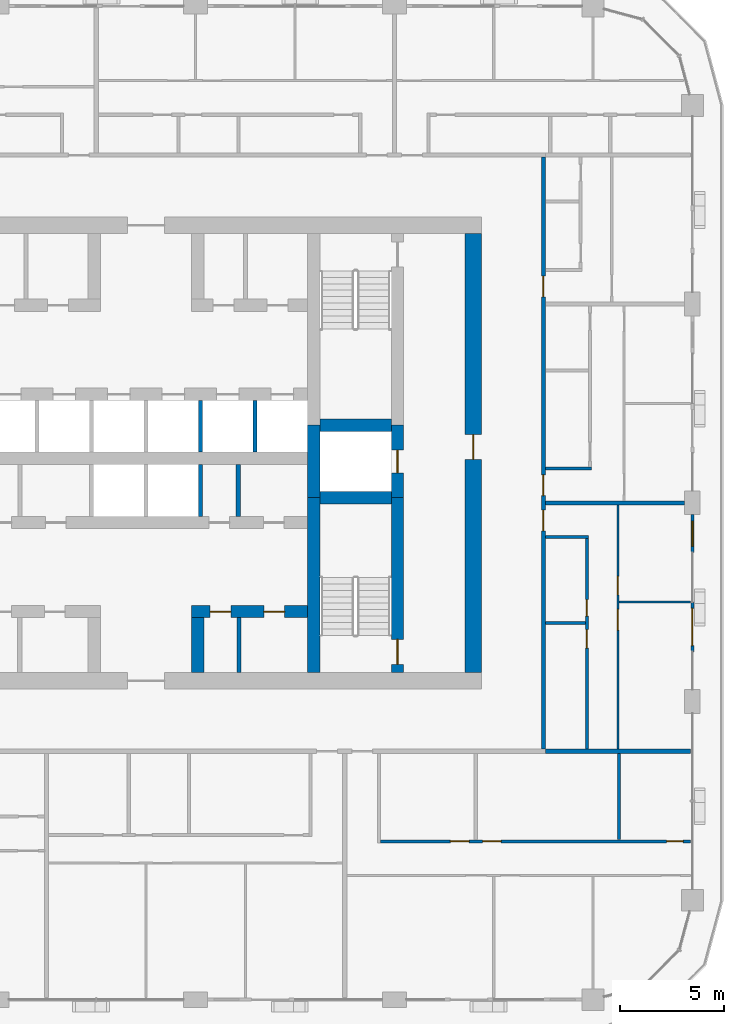
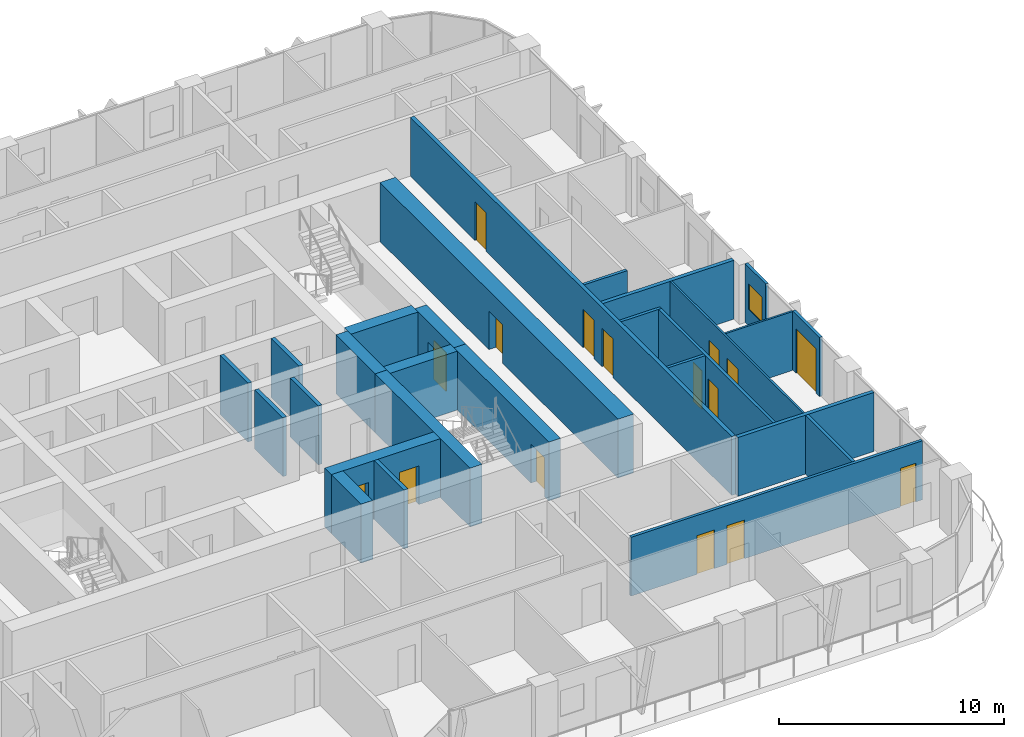
# One storey, part 12 of 22: 27 walls, 16 doors, 1 window, 17 openings.
"""IFC4 building model written with IfcOpenShell, lengths in metres."""

import ifcopenshell
import ifcopenshell.guid

model = None  # the IFC model being written
_history = None  # IfcOwnerHistory: only IFC2X3 demands one
_inside = {}  # id of a spatial element -> (the spatial element, [elements in it])
_under = {}  # id of a project, library or spatial element -> (it, [spatial elements below it])
_declared = {}  # id of a project -> (the project, [libraries it declares])
_typed = {}  # id of a type object -> (the type object, [elements of that type])
_made_of = {}  # id of a material, layer set ... -> (it, [elements and type objects made of it])


def new_model(schema):
    """Start an empty IFC model of exactly this schema.

    Asked for "IFC4X3", IfcOpenShell would pick the latest addendum, in which some entities
    have other attributes; the version numbers below select the first issue.
    IFC2X3 requires an IfcOwnerHistory on every rooted entity: one is made here for all.
    """
    global model, _history
    if schema == "IFC4X3":
        model = ifcopenshell.file(schema_version=(4, 3, 0, 0))
    else:
        model = ifcopenshell.file(schema=schema)
    _inside.clear()
    _under.clear()
    _declared.clear()
    _typed.clear()
    _made_of.clear()
    _history = None
    if model.schema == "IFC2X3":
        org = make("IfcOrganization", Name="unknown")
        user = make(
            "IfcPersonAndOrganization",
            ThePerson=make("IfcPerson", FamilyName="unknown"),
            TheOrganization=org,
        )
        app = make(
            "IfcApplication",
            ApplicationDeveloper=org,
            Version="unknown",
            ApplicationFullName="unknown",
            ApplicationIdentifier="unknown",
        )
        _history = make(
            "IfcOwnerHistory",
            OwningUser=user,
            OwningApplication=app,
            ChangeAction="ADDED",
            CreationDate=0,
        )
    return model


def make(cls, **values):
    """One entity of the class cls with the attributes given. An attribute that is None is left unset."""
    return model.create_entity(
        cls, **{name: value for name, value in values.items() if value is not None}
    )


def rooted(cls, **values):
    """An entity with a GlobalId (a new one), such as an element, a storey or a relation."""
    return make(cls, GlobalId=ifcopenshell.guid.new(), OwnerHistory=_history, **values)


def si_unit(unit_type, name, prefix=None):
    """IfcSIUnit, for example si_unit("LENGTHUNIT", "METRE", prefix="MILLI")."""
    return make("IfcSIUnit", UnitType=unit_type, Prefix=prefix, Name=name)


def assignment(units):
    """IfcUnitAssignment: the units of a project."""
    return None if units is None else make("IfcUnitAssignment", Units=units)


def point(xyz):
    """IfcCartesianPoint."""
    return None if xyz is None else make("IfcCartesianPoint", Coordinates=xyz)


def direction(xyz):
    """IfcDirection."""
    return None if xyz is None else make("IfcDirection", DirectionRatios=xyz)


def frame(location, z_axis=None, x_axis=None):
    """IfcAxis2Placement3D, a coordinate frame: its origin and axes. An axis left out is left unset."""
    return make(
        "IfcAxis2Placement3D",
        Location=point(location),
        Axis=direction(z_axis),
        RefDirection=direction(x_axis),
    )


def frame_2d(location, x_axis=None):
    """IfcAxis2Placement2D, a coordinate frame in the plane: its origin and x axis."""
    return make(
        "IfcAxis2Placement2D", Location=point(location), RefDirection=direction(x_axis)
    )


def origin():
    """The frame at (0, 0, 0) with its axes left unset."""
    return frame((0.0, 0.0, 0.0))


def place(relative_to, where):
    """IfcLocalPlacement: puts the frame where relative to a parent placement (None: the world)."""
    return make(
        "IfcLocalPlacement", PlacementRelTo=relative_to, RelativePlacement=where
    )


def context(
    kind, dimensions, precision=None, world=None, true_north=None, identifier=None
):
    """IfcGeometricRepresentationContext, for example the 3D "Model" context."""
    return make(
        "IfcGeometricRepresentationContext",
        ContextIdentifier=identifier,
        ContextType=kind,
        CoordinateSpaceDimension=dimensions,
        Precision=precision,
        WorldCoordinateSystem=world,
        TrueNorth=true_north,
    )


def subcontext(parent, identifier, kind, view, scale=None):
    """IfcGeometricRepresentationSubContext, for example "Body" below "Model"."""
    return make(
        "IfcGeometricRepresentationSubContext",
        ContextIdentifier=identifier,
        ContextType=kind,
        ParentContext=parent,
        TargetScale=scale,
        TargetView=view,
    )


def project(units=None, contexts=None):
    """IfcProject with its units and contexts."""
    return rooted(
        "IfcProject",
        Name="project",
        RepresentationContexts=contexts,
        UnitsInContext=assignment(units),
    )


def spatial(cls, under=None, at=None, **own):
    """A site, building, storey or space (cls), placed at a placement, below another one or the project."""
    s = rooted(cls, ObjectPlacement=at, **own)
    if under is not None:
        _under.setdefault(under.id(), (under, []))[1].append(s)
    return s


def profile(cls, at=None, kind="AREA", **sizes):
    """A parametric profile (cls). Its sizes go by their IFC names, for example OverallWidth=200.0."""
    return make(cls, ProfileType=kind, Position=at, **sizes)


def rectangle(**sizes):
    """IfcRectangleProfileDef."""
    return profile("IfcRectangleProfileDef", **sizes)


def extrude(swept, where, along, depth):
    """IfcExtrudedAreaSolid: the profile swept, set in the frame where, extruded along a direction by depth."""
    return make(
        "IfcExtrudedAreaSolid",
        SweptArea=swept,
        Position=where,
        ExtrudedDirection=direction(along),
        Depth=depth,
    )


def shape(context_of_items, identifier, shape_type, items):
    """IfcShapeRepresentation: the items that make up one representation, for example the "Body"."""
    return make(
        "IfcShapeRepresentation",
        ContextOfItems=context_of_items,
        RepresentationIdentifier=identifier,
        RepresentationType=shape_type,
        Items=items,
    )


def material(Name=None, Category=None):
    """IfcMaterial."""
    return make("IfcMaterial", Name=Name, Category=Category)


def layer(
    of_material, thickness, ventilated=None, Name=None, Category=None, Priority=None
):
    """IfcMaterialLayer: one layer of a wall or slab, of a material (None: an air gap)."""
    return make(
        "IfcMaterialLayer",
        Material=of_material,
        LayerThickness=thickness,
        IsVentilated=ventilated,
        Name=Name,
        Category=Category,
        Priority=Priority,
    )


def layer_set(layers, Name=None):
    """IfcMaterialLayerSet."""
    return make("IfcMaterialLayerSet", MaterialLayers=layers, LayerSetName=Name)


def made_of(thing, what):
    """Note that an element or type object is made of a material, layer set ...; save() writes the relation."""
    if what is not None:
        _made_of.setdefault(what.id(), (what, []))[1].append(thing)
    return thing


def type_object(cls, material=None, **own):
    """A type object (cls), such as IfcWallType, which elements share."""
    return made_of(rooted(cls, **own), material)


def element(
    cls,
    number,
    at=None,
    inside=None,
    cuts=None,
    type_object=None,
    material=None,
    context=None,
    identifier="Body",
    shape_type=None,
    held_by="IfcProductDefinitionShape",
    body=None,
    shapes=None,
    **own,
):
    """One element of the class cls, such as IfcWall. Its Tag is "e" and its number.

    at: its placement. inside: the storey or other place that contains it. cuts: it is an
    opening in that element (IfcRelVoidsElement). A single representation is given by context,
    identifier, shape_type and body (its items); several are given by shapes. held_by: the class
    of the entity that holds the representations. save() writes the other relations.
    """
    e = rooted(cls, Tag="e%d" % number, ObjectPlacement=at, **own)
    if body is not None:
        shapes = [shape(context, identifier, shape_type, body)]
    if shapes is not None:
        e.Representation = make(held_by, Representations=shapes)
    if inside is not None:
        _inside.setdefault(inside.id(), (inside, []))[1].append(e)
    if cuts is not None:
        rooted(
            "IfcRelVoidsElement", RelatingBuildingElement=cuts, RelatedOpeningElement=e
        )
    if type_object is not None:
        _typed.setdefault(type_object.id(), (type_object, []))[1].append(e)
    return made_of(e, material)


def fill(opening, filler):
    """IfcRelFillsElement: the door or window that sits in an opening."""
    return rooted(
        "IfcRelFillsElement",
        RelatingOpeningElement=opening,
        RelatedBuildingElement=filler,
    )


def aggregate(whole, parts):
    """IfcRelAggregates: a whole, such as a stair, and the parts it consists of."""
    return rooted("IfcRelAggregates", RelatingObject=whole, RelatedObjects=parts)


def save(model, path):
    """Write the relations noted so far, then the file.

    IfcRelAggregates (storeys below a building ...), IfcRelContainedInSpatialStructure (elements
    in a storey), IfcRelDefinesByType, IfcRelAssociatesMaterial and IfcRelDeclares: one each for
    every whole, place, type object, material and project.
    """
    for whole, parts in _under.values():
        aggregate(whole, parts)
    for where, things in _inside.values():
        rooted(
            "IfcRelContainedInSpatialStructure",
            RelatedElements=things,
            RelatingStructure=where,
        )
    for kind, things in _typed.values():
        rooted("IfcRelDefinesByType", RelatedObjects=things, RelatingType=kind)
    for what, things in _made_of.values():
        rooted("IfcRelAssociatesMaterial", RelatedObjects=things, RelatingMaterial=what)
    for by, libraries in _declared.values():
        rooted("IfcRelDeclares", RelatingContext=by, RelatedDefinitions=libraries)
    model.write(path)


model = new_model("IFC4")

# Units and contexts
model_context = context("Model", 3, precision=1e-05, world=origin(), true_north=direction((0.0, 1.0)))
body_context = subcontext(model_context, "Body", "Model", "MODEL_VIEW")
ifc_project = project(units=[si_unit("LENGTHUNIT", "METRE"), si_unit("AREAUNIT", "SQUARE_METRE"), si_unit("VOLUMEUNIT", "CUBIC_METRE"), si_unit("PLANEANGLEUNIT", "RADIAN"), si_unit("MASSUNIT", "GRAM", prefix="KILO")], contexts=[model_context])

# Site, building, storey
site_placement = place(None, origin())
site = spatial("IfcSite", under=ifc_project, at=site_placement, CompositionType="ELEMENT")
building_placement = place(site_placement, origin())
building = spatial("IfcBuilding", under=site, at=building_placement, Name="Madar Terraces", CompositionType="ELEMENT")
storey_placement = place(building_placement, frame((0.0, 0.0, 156.0)))
storey = spatial("IfcBuildingStorey", under=building, at=storey_placement, Name="L40", CompositionType="ELEMENT", Elevation=156.0)

# Walls
ifc_material_1 = material(Name="Concrete C70/85", Category="concrete")
ifc_layer_1 = layer(ifc_material_1, 0.60009765625)
ifc_layer_set_1 = layer_set([ifc_layer_1], Name="Concrete C70/85 (CIW3 RC wall 600)")
wall_type_1 = type_object("IfcWallType", Name="CIW3 RC wall 600", PredefinedType="SHEAR", material=ifc_layer_set_1)
wall_1_placement = place(storey_placement, frame((39.300048828125, 15.800048828125, 0.0), z_axis=(0.0, 0.0, 1.0), x_axis=(0.0, 1.0, 0.0)))
element("IfcWall", 1, at=wall_1_placement, inside=storey, type_object=wall_type_1, Name="CORE SHAFT WALL", PredefinedType="SHEAR", context=body_context, shape_type="SweptSolid", body=[
    extrude(rectangle(XDim=8.449951171875, YDim=0.60009765625, at=frame_2d((4.22509765625, 0.0))), origin(), (0.0, 0.0, 1.0), 3.199951171875),
])
wall_2_placement = place(storey_placement, frame((39.300048828125, 24.25, 0.0), z_axis=(0.0, 0.0, 1.0), x_axis=(0.0, 1.0, 0.0)))
element("IfcWall", 2, at=wall_2_placement, inside=storey, type_object=wall_type_1, Name="CORE SHAFT WALL", PredefinedType="SHEAR", context=body_context, shape_type="SweptSolid", body=[
    extrude(rectangle(XDim=3.5, YDim=0.60009765625, at=frame_2d((1.75, 0.0))), origin(), (0.0, 0.0, 1.0), 3.199951171875),
])

# Wall, opening, door
wall_3_placement = place(storey_placement, frame((43.35009765625, 15.800048828125, 0.0), z_axis=(0.0, 0.0, 1.0), x_axis=(0.0, 1.0, 0.0)))
wall_3 = element("IfcWall", 3, at=wall_3_placement, inside=storey, type_object=wall_type_1, Name="CORE SHAFT WALL", PredefinedType="SHEAR", context=body_context, shape_type="SweptSolid", body=[
    extrude(rectangle(XDim=8.449951171875, YDim=0.60009765625, at=frame_2d((4.22509765625, 0.0))), origin(), (0.0, 0.0, 1.0), 3.199951171875),
])
opening_1_placement = place(wall_3_placement, frame((0.39990234375, 0.0, 0.0)))
opening_1 = element("IfcOpeningElement", 4, at=opening_1_placement, cuts=wall_3, Name="Opening SD1", PredefinedType="OPENING", context=body_context, shape_type="SweptSolid", body=[
    extrude(rectangle(XDim=1.199951171875, YDim=2.10009765625, at=frame_2d((0.60009765625, 1.050048828125))), frame((0.0, 0.31005859375, 0.0), z_axis=(0.0, -1.0, 0.0), x_axis=(1.0, 0.0, 0.0)), (0.0, 0.0, 1.0), 0.6201171875),
])
ifc_material_2 = material(Name="Steel door leaf", Category="steel")
door_type_1 = type_object("IfcDoorType", Name="Stair door 1200 x 2100", OperationType="NOTDEFINED", PredefinedType="DOOR", material=ifc_material_2)
door_1_placement = place(opening_1_placement, origin())
door_1 = element("IfcDoor", 5, at=door_1_placement, inside=storey, type_object=door_type_1, Name="STAIR DOOR", OperationType="SINGLE_SWING_LEFT", OverallHeight=2.10009765625, OverallWidth=1.199951171875, PredefinedType="DOOR", context=body_context, shape_type="SweptSolid", body=[
    extrude(rectangle(XDim=1.199951171875, YDim=2.10009765625, at=frame_2d((0.60009765625, 1.050048828125))), frame((0.0, 0.02490234375, 0.0), z_axis=(0.0, -1.0, 0.0), x_axis=(1.0, 0.0, 0.0)), (0.0, 0.0, 1.0), 0.050048828125),
])
fill(opening_1, door_1)

wall_4_placement = place(storey_placement, frame((43.35009765625, 24.25, 0.0), z_axis=(0.0, 0.0, 1.0), x_axis=(0.0, 1.0, 0.0)))
wall_4 = element("IfcWall", 6, at=wall_4_placement, inside=storey, type_object=wall_type_1, Name="CORE SHAFT WALL", PredefinedType="SHEAR", context=body_context, shape_type="SweptSolid", body=[
    extrude(rectangle(XDim=3.5, YDim=0.60009765625, at=frame_2d((1.75, 0.0))), origin(), (0.0, 0.0, 1.0), 3.199951171875),
])
opening_2_placement = place(wall_4_placement, frame((1.199951171875, 0.0, 0.0)))
opening_2 = element("IfcOpeningElement", 7, at=opening_2_placement, cuts=wall_4, Name="Opening LD", PredefinedType="OPENING", context=body_context, shape_type="SweptSolid", body=[
    extrude(rectangle(XDim=1.10009765625, YDim=2.10009765625, at=frame_2d((0.550048828125, 1.050048828125))), frame((0.0, 0.31005859375, 0.0), z_axis=(0.0, -1.0, 0.0), x_axis=(1.0, 0.0, 0.0)), (0.0, 0.0, 1.0), 0.6201171875),
])
ifc_material_3 = material(Name="Stainless steel panel", Category="steel")
door_type_2 = type_object("IfcDoorType", Name="Lift landing door 1100 x 2100", OperationType="DOUBLE_DOOR_SLIDING", PredefinedType="DOOR", material=ifc_material_3)
door_2_placement = place(opening_2_placement, origin())
door_2 = element("IfcDoor", 8, at=door_2_placement, inside=storey, type_object=door_type_2, Name="LIFT LANDING DOOR", OperationType="DOUBLE_DOOR_SLIDING", OverallHeight=2.10009765625, OverallWidth=1.10009765625, PredefinedType="DOOR", context=body_context, shape_type="SweptSolid", body=[
    extrude(rectangle(XDim=1.10009765625, YDim=2.10009765625, at=frame_2d((0.550048828125, 1.050048828125))), frame((0.0, 0.02490234375, 0.0), z_axis=(0.0, -1.0, 0.0), x_axis=(1.0, 0.0, 0.0)), (0.0, 0.0, 1.0), 0.050048828125),
])
fill(opening_2, door_2)

# Walls
for number, where, z_axis, x_axis, name in (
    (9, (39.60009765625, 24.25, 0.0), (0.0, 0.0, 1.0), (1.0, 0.0, 0.0), "CORE SHAFT WALL"),
    (10, (39.60009765625, 27.75, 0.0), (0.0, 0.0, 1.0), (1.0, 0.0, 0.0), "CORE SHAFT WALL"),
):
    element("IfcWall", number, at=place(storey_placement, frame(where, z_axis=z_axis, x_axis=x_axis)), inside=storey, type_object=wall_type_1, Name=name, PredefinedType="SHEAR", context=body_context, shape_type="SweptSolid", body=[
        extrude(rectangle(XDim=3.449951171875, YDim=0.60009765625, at=frame_2d((1.72509765625, 0.0))), origin(), (0.0, 0.0, 1.0), 3.199951171875),
    ])

# Wall, openings, doors
wall_5_placement = place(storey_placement, frame((33.39990234375, 18.75, 0.0), z_axis=(0.0, 0.0, 1.0), x_axis=(1.0, 0.0, 0.0)))
wall_5 = element("IfcWall", 11, at=wall_5_placement, inside=storey, type_object=wall_type_1, Name="CORE SHAFT WALL", PredefinedType="SHEAR", context=body_context, shape_type="SweptSolid", body=[
    extrude(rectangle(XDim=5.60009765625, YDim=0.60009765625, at=frame_2d((2.800048828125, 0.0))), origin(), (0.0, 0.0, 1.0), 3.199951171875),
])
opening_3_placement = place(wall_5_placement, frame((0.89990234375, 0.0, 0.0)))
opening_3 = element("IfcOpeningElement", 12, at=opening_3_placement, cuts=wall_5, Name="Opening KD2", PredefinedType="OPENING", context=body_context, shape_type="SweptSolid", body=[
    extrude(rectangle(XDim=1.0, YDim=2.10009765625, at=frame_2d((0.5, 1.050048828125))), frame((0.0, 0.31005859375, 0.0), z_axis=(0.0, -1.0, 0.0), x_axis=(1.0, 0.0, 0.0)), (0.0, 0.0, 1.0), 0.6201171875),
])
opening_4_placement = place(wall_5_placement, frame((3.5, 0.0, 0.0)))
opening_4 = element("IfcOpeningElement", 13, at=opening_4_placement, cuts=wall_5, Name="Opening KD2", PredefinedType="OPENING", context=body_context, shape_type="SweptSolid", body=[
    extrude(rectangle(XDim=1.0, YDim=2.10009765625, at=frame_2d((0.5, 1.050048828125))), frame((0.0, 0.31005859375, 0.0), z_axis=(0.0, -1.0, 0.0), x_axis=(1.0, 0.0, 0.0)), (0.0, 0.0, 1.0), 0.6201171875),
])
ifc_material_4 = material(Name="Steel door leaf", Category="steel")
door_type_3 = type_object("IfcDoorType", Name="Service room door 1000 x 2100", OperationType="NOTDEFINED", PredefinedType="DOOR", material=ifc_material_4)
door_3_placement = place(opening_3_placement, origin())
door_3 = element("IfcDoor", 14, at=door_3_placement, inside=storey, type_object=door_type_3, Name="SERVICE ROOM DOOR", OperationType="SINGLE_SWING_LEFT", OverallHeight=2.10009765625, OverallWidth=1.0, PredefinedType="DOOR", context=body_context, shape_type="SweptSolid", body=[
    extrude(rectangle(XDim=1.0, YDim=2.10009765625, at=frame_2d((0.5, 1.050048828125))), frame((0.0, 0.02490234375, 0.0), z_axis=(0.0, -1.0, 0.0), x_axis=(1.0, 0.0, 0.0)), (0.0, 0.0, 1.0), 0.050048828125),
])
fill(opening_3, door_3)
door_4_placement = place(opening_4_placement, origin())
door_4 = element("IfcDoor", 15, at=door_4_placement, inside=storey, type_object=door_type_3, Name="SERVICE ROOM DOOR", OperationType="SINGLE_SWING_RIGHT", OverallHeight=2.10009765625, OverallWidth=1.0, PredefinedType="DOOR", context=body_context, shape_type="SweptSolid", body=[
    extrude(rectangle(XDim=1.0, YDim=2.10009765625, at=frame_2d((0.5, 1.050048828125))), frame((0.0, 0.02490234375, 0.0), z_axis=(0.0, -1.0, 0.0), x_axis=(1.0, 0.0, 0.0)), (0.0, 0.0, 1.0), 0.050048828125),
])
fill(opening_4, door_4)

# Wall
wall_6_placement = place(storey_placement, frame((33.699951171875, 15.800048828125, 0.0), z_axis=(0.0, 0.0, 1.0), x_axis=(0.0, 1.0, 0.0)))
element("IfcWall", 16, at=wall_6_placement, inside=storey, type_object=wall_type_1, Name="CORE SHAFT WALL", PredefinedType="SHEAR", context=body_context, shape_type="SweptSolid", body=[
    extrude(rectangle(XDim=2.64990234375, YDim=0.60009765625, at=frame_2d((1.324951171875, 0.0))), origin(), (0.0, 0.0, 1.0), 3.199951171875),
])

# Wall, opening, door
ifc_material_5 = material(Name="Concrete C70/85", Category="concrete")
ifc_layer_2 = layer(ifc_material_5, 0.800048828125)
ifc_layer_set_2 = layer_set([ifc_layer_2], Name="Concrete C70/85 (CRW3 RC wall 800)")
wall_type_2 = type_object("IfcWallType", Name="CRW3 RC wall 800", PredefinedType="SHEAR", material=ifc_layer_set_2)
wall_7_placement = place(storey_placement, frame((47.0, 15.800048828125, 0.0), z_axis=(0.0, 0.0, 1.0), x_axis=(0.0, 1.0, 0.0)))
wall_7 = element("IfcWall", 17, at=wall_7_placement, inside=storey, type_object=wall_type_2, Name="CORE OUTER WALL", PredefinedType="SHEAR", context=body_context, shape_type="SweptSolid", body=[
    extrude(rectangle(XDim=21.199951171875, YDim=0.800048828125, at=frame_2d((10.60009765625, 0.0))), origin(), (0.0, 0.0, 1.0), 3.199951171875),
])
opening_5_placement = place(wall_7_placement, frame((10.300048828125, 0.0, 0.0)))
opening_5 = element("IfcOpeningElement", 18, at=opening_5_placement, cuts=wall_7, Name="Opening SD1", PredefinedType="OPENING", context=body_context, shape_type="SweptSolid", body=[
    extrude(rectangle(XDim=1.199951171875, YDim=2.10009765625, at=frame_2d((0.60009765625, 1.050048828125))), frame((0.0, 0.409912109375, 0.0), z_axis=(0.0, -1.0, 0.0), x_axis=(1.0, 0.0, 0.0)), (0.0, 0.0, 1.0), 0.820068359375),
])
door_5_placement = place(opening_5_placement, origin())
door_5 = element("IfcDoor", 19, at=door_5_placement, inside=storey, type_object=door_type_1, Name="STAIR DOOR", OperationType="SINGLE_SWING_RIGHT", OverallHeight=2.10009765625, OverallWidth=1.199951171875, PredefinedType="DOOR", context=body_context, shape_type="SweptSolid", body=[
    extrude(rectangle(XDim=1.199951171875, YDim=2.10009765625, at=frame_2d((0.60009765625, 1.050048828125))), frame((0.0, 0.02490234375, 0.0), z_axis=(0.0, -1.0, 0.0), x_axis=(1.0, 0.0, 0.0)), (0.0, 0.0, 1.0), 0.050048828125),
])
fill(opening_5, door_5)

# Walls
ifc_material_6 = material(Name="Masonry blockwork", Category="masonry")
ifc_layer_3 = layer(ifc_material_6, 0.199951171875)
ifc_layer_set_3 = layer_set([ifc_layer_3], Name="Core partition 200 blockwork")
wall_type_3 = type_object("IfcWallType", Name="Core partition 200 blockwork", PredefinedType="PARTITIONING", material=ifc_layer_set_3)
wall_8_placement = place(storey_placement, frame((35.656005859375, 23.35009765625, 0.0), z_axis=(0.0, 0.0, 1.0), x_axis=(0.0, 1.0, 0.0)))
element("IfcWall", 20, at=wall_8_placement, inside=storey, type_object=wall_type_3, Name="SERVICE ROOM PARTITION", PredefinedType="PARTITIONING", context=body_context, shape_type="SweptSolid", body=[
    extrude(rectangle(XDim=2.5, YDim=0.199951171875, at=frame_2d((1.25, 0.0))), origin(), (0.0, 0.0, 1.0), 3.199951171875),
])
wall_9_placement = place(storey_placement, frame((35.699951171875, 15.800048828125, 0.0), z_axis=(0.0, 0.0, 1.0), x_axis=(0.0, 1.0, 0.0)))
element("IfcWall", 21, at=wall_9_placement, inside=storey, type_object=wall_type_3, Name="SERVICE ROOM PARTITION", PredefinedType="PARTITIONING", context=body_context, shape_type="SweptSolid", body=[
    extrude(rectangle(XDim=2.64990234375, YDim=0.199951171875, at=frame_2d((1.324951171875, 0.0))), origin(), (0.0, 0.0, 1.0), 3.199951171875),
])
ifc_material_7 = material(Name="Concrete C40/50", Category="concrete")
ifc_layer_4 = layer(ifc_material_7, 0.199951171875)
ifc_layer_set_4 = layer_set([ifc_layer_4], Name="Core shaft dividing wall 200 C40/50")
wall_type_4 = type_object("IfcWallType", Name="Core shaft dividing wall 200 C40/50", PredefinedType="SOLIDWALL", material=ifc_layer_set_4)
for number, where, z_axis, x_axis, name in (
    (22, (33.833251953125, 23.35009765625, 0.0), (0.0, 0.0, 1.0), (0.0, 1.0, 0.0), "SHAFT DIVIDING WALL"),
    (23, (33.833251953125, 26.449951171875, 0.0), (0.0, 0.0, 1.0), (0.0, 1.0, 0.0), "SHAFT DIVIDING WALL"),
    (24, (36.466552734375, 26.449951171875, 0.0), (0.0, 0.0, 1.0), (0.0, 1.0, 0.0), "SHAFT DIVIDING WALL"),
):
    element("IfcWall", number, at=place(storey_placement, frame(where, z_axis=z_axis, x_axis=x_axis)), inside=storey, type_object=wall_type_4, Name=name, PredefinedType="SOLIDWALL", context=body_context, shape_type="SweptSolid", body=[
        extrude(rectangle(XDim=2.5, YDim=0.199951171875, at=frame_2d((1.25, 0.0))), origin(), (0.0, 0.0, 1.0), 3.199951171875),
    ])

# Wall, opening, door
ifc_material_8 = material(Name="Aluminium composite panel, black, over insulated backing", Category="aluminium")
ifc_layer_5 = layer(ifc_material_8, 0.14990234375)
ifc_layer_set_5 = layer_set([ifc_layer_5], Name="Facade bay panel 150")
wall_type_5 = type_object("IfcWallType", Name="Facade bay panel 150", PredefinedType="SOLIDWALL", material=ifc_layer_set_5)
wall_10_placement = place(storey_placement, frame((57.60009765625, 16.800048828125, 0.0), z_axis=(0.0, 0.0, 1.0), x_axis=(0.0, 1.0, 0.0)))
wall_10 = element("IfcWall", 25, at=wall_10_placement, inside=storey, type_object=wall_type_5, Name="Facade bay panel", PredefinedType="SOLIDWALL", context=body_context, shape_type="SweptSolid", body=[
    extrude(rectangle(XDim=2.39990234375, YDim=0.14990234375, at=frame_2d((1.199951171875, 0.0))), origin(), (0.0, 0.0, 1.0), 3.199951171875),
])
opening_6_placement = place(wall_10_placement, frame((0.300048828125, 0.0, 0.0)))
opening_6 = element("IfcOpeningElement", 26, at=opening_6_placement, cuts=wall_10, Name="Opening ED1", PredefinedType="OPENING", context=body_context, shape_type="SweptSolid", body=[
    extrude(rectangle(XDim=1.800048828125, YDim=2.39990234375, at=frame_2d((0.89990234375, 1.199951171875))), frame((0.0, 0.0849609375, 0.0), z_axis=(0.0, -1.0, 0.0), x_axis=(1.0, 0.0, 0.0)), (0.0, 0.0, 1.0), 0.169921875),
])
ifc_material_9 = material(Name="Glass, clear, with black aluminium frame", Category="aluminium")
door_type_4 = type_object("IfcDoorType", Name="Balcony and terrace sliding door 1800 x 2400", OperationType="SLIDING_TO_LEFT", PredefinedType="DOOR", material=ifc_material_9)
door_6_placement = place(opening_6_placement, origin())
door_6 = element("IfcDoor", 27, at=door_6_placement, inside=storey, type_object=door_type_4, Name="Balcony door", OperationType="SLIDING_TO_LEFT", OverallHeight=2.39990234375, OverallWidth=1.800048828125, PredefinedType="DOOR", context=body_context, shape_type="SweptSolid", body=[
    extrude(rectangle(XDim=1.800048828125, YDim=2.39990234375, at=frame_2d((0.89990234375, 1.199951171875))), frame((0.0, 0.02490234375, 0.0), z_axis=(0.0, -1.0, 0.0), x_axis=(1.0, 0.0, 0.0)), (0.0, 0.0, 1.0), 0.050048828125),
])
fill(opening_6, door_6)

# Wall, opening, window
wall_11_placement = place(storey_placement, frame((57.60009765625, 21.60009765625, 0.0), z_axis=(0.0, 0.0, 1.0), x_axis=(0.0, 1.0, 0.0)))
wall_11 = element("IfcWall", 28, at=wall_11_placement, inside=storey, type_object=wall_type_5, Name="Facade bay panel", PredefinedType="SOLIDWALL", context=body_context, shape_type="SweptSolid", body=[
    extrude(rectangle(XDim=1.824951171875, YDim=0.14990234375, at=frame_2d((0.91259765625, 0.0))), origin(), (0.0, 0.0, 1.0), 3.199951171875),
])
opening_7_placement = place(wall_11_placement, frame((0.3125, 0.0, 0.89990234375)))
opening_7 = element("IfcOpeningElement", 29, at=opening_7_placement, cuts=wall_11, Name="Opening W1", PredefinedType="OPENING", context=body_context, shape_type="SweptSolid", body=[
    extrude(rectangle(XDim=1.199951171875, YDim=1.39990234375, at=frame_2d((0.60009765625, 0.699951171875))), frame((0.0, 0.0849609375, 0.0), z_axis=(0.0, -1.0, 0.0), x_axis=(1.0, 0.0, 0.0)), (0.0, 0.0, 1.0), 0.169921875),
])
ifc_material_10 = material(Name="Glass, clear, with black aluminium frame", Category="aluminium")
window_type = type_object("IfcWindowType", Name="Vent window 1200 x 1400", PartitioningType="SINGLE_PANEL", PredefinedType="WINDOW", material=ifc_material_10)
window_placement = place(opening_7_placement, origin())
window = element("IfcWindow", 30, at=window_placement, inside=storey, type_object=window_type, Name="Operable vent window", OverallHeight=1.39990234375, OverallWidth=1.199951171875, PartitioningType="SINGLE_PANEL", PredefinedType="WINDOW", context=body_context, shape_type="SweptSolid", body=[
    extrude(rectangle(XDim=1.199951171875, YDim=1.39990234375, at=frame_2d((0.60009765625, 0.699951171875))), frame((0.0, 0.030029296875, 0.0), z_axis=(0.0, -1.0, 0.0), x_axis=(1.0, 0.0, 0.0)), (0.0, 0.0, 1.0), 0.06005859375),
])
fill(opening_7, window)

# Wall
ifc_material_11 = material(Name="Gypsum board on steel studs", Category="steel")
ifc_layer_6 = layer(ifc_material_11, 0.10009765625)
ifc_layer_set_6 = layer_set([ifc_layer_6], Name="Flat partition 100")
wall_type_6 = type_object("IfcWallType", Name="Flat partition 100", PredefinedType="PARTITIONING", material=ifc_layer_set_6)
wall_12_placement = place(storey_placement, frame((54.050048828125, 19.199951171875, 0.0), z_axis=(0.0, 0.0, 1.0), x_axis=(1.0, 0.0, 0.0)))
element("IfcWall", 31, at=wall_12_placement, inside=storey, type_object=wall_type_6, Name="Flat partition 100", PredefinedType="PARTITIONING", context=body_context, shape_type="SweptSolid", body=[
    extrude(rectangle(XDim=3.449951171875, YDim=0.10009765625, at=frame_2d((1.72509765625, 0.0))), origin(), (0.0, 0.0, 1.0), 3.199951171875),
])

# Wall, openings, doors
wall_13_placement = place(storey_placement, frame((54.0, 23.89990234375, 0.0), z_axis=(0.0, 0.0, 1.0), x_axis=(0.0, -1.0, 0.0)))
wall_13 = element("IfcWall", 32, at=wall_13_placement, inside=storey, type_object=wall_type_6, Name="Flat partition 100", PredefinedType="PARTITIONING", context=body_context, shape_type="SweptSolid", body=[
    extrude(rectangle(XDim=11.7998046875, YDim=0.10009765625, at=frame_2d((5.89990234375, 0.0))), origin(), (0.0, 0.0, 1.0), 3.199951171875),
])
opening_8_placement = place(wall_13_placement, frame((3.449951171875, 0.0, 0.0)))
opening_8 = element("IfcOpeningElement", 33, at=opening_8_placement, cuts=wall_13, Name="Opening D2", PredefinedType="OPENING", context=body_context, shape_type="SweptSolid", body=[
    extrude(rectangle(XDim=0.89990234375, YDim=2.10009765625, at=frame_2d((0.449951171875, 1.050048828125))), frame((0.0, 0.06005859375, 0.0), z_axis=(0.0, -1.0, 0.0), x_axis=(1.0, 0.0, 0.0)), (0.0, 0.0, 1.0), 0.1201171875),
])
opening_9_placement = place(wall_13_placement, frame((5.050048828125, 0.0, 0.0)))
opening_9 = element("IfcOpeningElement", 34, at=opening_9_placement, cuts=wall_13, Name="Opening D3", PredefinedType="OPENING", context=body_context, shape_type="SweptSolid", body=[
    extrude(rectangle(XDim=1.0, YDim=2.10009765625, at=frame_2d((0.5, 1.050048828125))), frame((0.0, 0.06005859375, 0.0), z_axis=(0.0, -1.0, 0.0), x_axis=(1.0, 0.0, 0.0)), (0.0, 0.0, 1.0), 0.1201171875),
])
ifc_material_12 = material(Name="Timber door leaf", Category="wood")
door_type_5 = type_object("IfcDoorType", Name="Flat living room door 1000", OperationType="NOTDEFINED", PredefinedType="DOOR", material=ifc_material_12)
door_7_placement = place(opening_9_placement, origin())
door_7 = element("IfcDoor", 35, at=door_7_placement, inside=storey, type_object=door_type_5, Name="Flat living room door 1000", OperationType="SINGLE_SWING_LEFT", OverallHeight=2.10009765625, OverallWidth=1.0, PredefinedType="DOOR", context=body_context, shape_type="SweptSolid", body=[
    extrude(rectangle(XDim=1.0, YDim=2.10009765625, at=frame_2d((0.5, 1.050048828125))), frame((0.0, 0.02490234375, 0.0), z_axis=(0.0, -1.0, 0.0), x_axis=(1.0, 0.0, 0.0)), (0.0, 0.0, 1.0), 0.050048828125),
])
fill(opening_9, door_7)
ifc_material_13 = material(Name="Timber door leaf", Category="wood")
door_type_6 = type_object("IfcDoorType", Name="Flat room door 900", OperationType="NOTDEFINED", PredefinedType="DOOR", material=ifc_material_13)
door_8_placement = place(opening_8_placement, origin())
door_8 = element("IfcDoor", 36, at=door_8_placement, inside=storey, type_object=door_type_6, Name="Flat room door 900", OperationType="SINGLE_SWING_RIGHT", OverallHeight=2.10009765625, OverallWidth=0.89990234375, PredefinedType="DOOR", context=body_context, shape_type="SweptSolid", body=[
    extrude(rectangle(XDim=0.89990234375, YDim=2.10009765625, at=frame_2d((0.449951171875, 1.050048828125))), frame((0.0, 0.02490234375, 0.0), z_axis=(0.0, -1.0, 0.0), x_axis=(1.0, 0.0, 0.0)), (0.0, 0.0, 1.0), 0.050048828125),
])
fill(opening_8, door_8)

ifc_material_14 = material(Name="Lightweight blockwork", Category="masonry")
ifc_layer_7 = layer(ifc_material_14, 0.199951171875)
ifc_layer_set_7 = layer_set([ifc_layer_7], Name="Flat party and entrance wall 200")
wall_type_7 = type_object("IfcWallType", Name="Flat party and entrance wall 200", PredefinedType="PARTITIONING", material=ifc_layer_set_7)
wall_14_placement = place(storey_placement, frame((50.39990234375, 40.699951171875, 0.0), z_axis=(0.0, 0.0, 1.0), x_axis=(0.0, -1.0, 0.0)))
wall_14 = element("IfcWall", 37, at=wall_14_placement, inside=storey, type_object=wall_type_7, Name="Flat party and entrance wall 200", PredefinedType="PARTITIONING", context=body_context, shape_type="SweptSolid", body=[
    extrude(rectangle(XDim=28.599853515625, YDim=0.199951171875, at=frame_2d((14.2998046875, 0.0))), origin(), (0.0, 0.0, 1.0), 3.199951171875),
])
opening_10_placement = place(wall_14_placement, frame((17.050048828125, 0.0, 0.0)))
opening_10 = element("IfcOpeningElement", 38, at=opening_10_placement, cuts=wall_14, Name="Opening D1", PredefinedType="OPENING", context=body_context, shape_type="SweptSolid", body=[
    extrude(rectangle(XDim=1.0, YDim=2.10009765625, at=frame_2d((0.5, 1.050048828125))), frame((0.0, 0.10986328125, 0.0), z_axis=(0.0, -1.0, 0.0), x_axis=(1.0, 0.0, 0.0)), (0.0, 0.0, 1.0), 0.219970703125),
])
opening_11_placement = place(wall_14_placement, frame((15.35009765625, 0.0, 0.0)))
opening_11 = element("IfcOpeningElement", 39, at=opening_11_placement, cuts=wall_14, Name="Opening D1", PredefinedType="OPENING", context=body_context, shape_type="SweptSolid", body=[
    extrude(rectangle(XDim=1.0, YDim=2.10009765625, at=frame_2d((0.5, 1.050048828125))), frame((0.0, 0.10986328125, 0.0), z_axis=(0.0, -1.0, 0.0), x_axis=(1.0, 0.0, 0.0)), (0.0, 0.0, 1.0), 0.219970703125),
])
opening_12_placement = place(wall_14_placement, frame((5.75, 0.0, 0.0)))
opening_12 = element("IfcOpeningElement", 40, at=opening_12_placement, cuts=wall_14, Name="Opening D1", PredefinedType="OPENING", context=body_context, shape_type="SweptSolid", body=[
    extrude(rectangle(XDim=1.0, YDim=2.10009765625, at=frame_2d((0.5, 1.050048828125))), frame((0.0, 0.10986328125, 0.0), z_axis=(0.0, -1.0, 0.0), x_axis=(1.0, 0.0, 0.0)), (0.0, 0.0, 1.0), 0.219970703125),
])
ifc_material_15 = material(Name="Timber fire door leaf", Category="wood")
door_type_7 = type_object("IfcDoorType", Name="Flat entrance door 1000 FD30S", OperationType="NOTDEFINED", PredefinedType="DOOR", material=ifc_material_15)
door_9_placement = place(opening_10_placement, origin())
door_9 = element("IfcDoor", 41, at=door_9_placement, inside=storey, type_object=door_type_7, Name="Flat entrance door 1000 FD30S", OperationType="SINGLE_SWING_LEFT", OverallHeight=2.10009765625, OverallWidth=1.0, PredefinedType="DOOR", context=body_context, shape_type="SweptSolid", body=[
    extrude(rectangle(XDim=1.0, YDim=2.10009765625, at=frame_2d((0.5, 1.050048828125))), frame((0.0, 0.02490234375, 0.0), z_axis=(0.0, -1.0, 0.0), x_axis=(1.0, 0.0, 0.0)), (0.0, 0.0, 1.0), 0.050048828125),
])
fill(opening_10, door_9)
door_10_placement = place(opening_11_placement, origin())
door_10 = element("IfcDoor", 42, at=door_10_placement, inside=storey, type_object=door_type_7, Name="Flat entrance door 1000 FD30S", OperationType="SINGLE_SWING_RIGHT", OverallHeight=2.10009765625, OverallWidth=1.0, PredefinedType="DOOR", context=body_context, shape_type="SweptSolid", body=[
    extrude(rectangle(XDim=1.0, YDim=2.10009765625, at=frame_2d((0.5, 1.050048828125))), frame((0.0, 0.02490234375, 0.0), z_axis=(0.0, -1.0, 0.0), x_axis=(1.0, 0.0, 0.0)), (0.0, 0.0, 1.0), 0.050048828125),
])
fill(opening_11, door_10)
door_11_placement = place(opening_12_placement, origin())
door_11 = element("IfcDoor", 43, at=door_11_placement, inside=storey, type_object=door_type_7, Name="Flat entrance door 1000 FD30S", OperationType="SINGLE_SWING_RIGHT", OverallHeight=2.10009765625, OverallWidth=1.0, PredefinedType="DOOR", context=body_context, shape_type="SweptSolid", body=[
    extrude(rectangle(XDim=1.0, YDim=2.10009765625, at=frame_2d((0.5, 1.050048828125))), frame((0.0, 0.02490234375, 0.0), z_axis=(0.0, -1.0, 0.0), x_axis=(1.0, 0.0, 0.0)), (0.0, 0.0, 1.0), 0.050048828125),
])
fill(opening_12, door_11)

# Walls
wall_15_placement = place(storey_placement, frame((50.5, 12.0, 0.0), z_axis=(0.0, 0.0, 1.0), x_axis=(1.0, 0.0, 0.0)))
element("IfcWall", 44, at=wall_15_placement, inside=storey, type_object=wall_type_7, Name="Flat party and entrance wall 200", PredefinedType="PARTITIONING", context=body_context, shape_type="SweptSolid", body=[
    extrude(rectangle(XDim=7.0, YDim=0.199951171875, at=frame_2d((3.5, 0.0))), origin(), (0.0, 0.0, 1.0), 3.199951171875),
])
wall_16_placement = place(storey_placement, frame((50.5, 24.0, 0.0), z_axis=(0.0, 0.0, 1.0), x_axis=(1.0, 0.0, 0.0)))
element("IfcWall", 45, at=wall_16_placement, inside=storey, type_object=wall_type_7, Name="Flat party and entrance wall 200", PredefinedType="PARTITIONING", context=body_context, shape_type="SweptSolid", body=[
    extrude(rectangle(XDim=6.72509765625, YDim=0.199951171875, at=frame_2d((3.362548828125, 0.0))), origin(), (0.0, 0.0, 1.0), 3.199951171875),
])
ifc_material_16 = material(Name="Lightweight blockwork", Category="masonry")
ifc_layer_8 = layer(ifc_material_16, 0.14990234375)
ifc_layer_set_8 = layer_set([ifc_layer_8], Name="Flat wet-room partition 150")
wall_type_8 = type_object("IfcWallType", Name="Flat wet-room partition 150", PredefinedType="PARTITIONING", material=ifc_layer_set_8)
wall_17_placement = place(storey_placement, frame((54.044189453125, 11.89990234375, 0.0), z_axis=(0.0, 0.0, 1.0), x_axis=(0.0, -1.0, 0.0)))
element("IfcWall", 46, at=wall_17_placement, inside=storey, type_object=wall_type_8, Name="Flat wet-room partition 150", PredefinedType="PARTITIONING", context=body_context, shape_type="SweptSolid", body=[
    extrude(rectangle(XDim=4.1748046875, YDim=0.14990234375, at=frame_2d((2.08740234375, 0.0))), origin(), (0.0, 0.0, 1.0), 3.199951171875),
])

# Wall, openings, doors
wall_18_placement = place(storey_placement, frame((42.52490234375, 7.64990234375, 0.0), z_axis=(0.0, 0.0, 1.0), x_axis=(1.0, 0.0, 0.0)))
wall_18 = element("IfcWall", 47, at=wall_18_placement, inside=storey, type_object=wall_type_8, Name="Flat wet-room partition 150", PredefinedType="PARTITIONING", context=body_context, shape_type="SweptSolid", body=[
    extrude(rectangle(XDim=14.97509765625, YDim=0.14990234375, at=frame_2d((7.487548828125, 0.0))), origin(), (0.0, 0.0, 1.0), 3.199951171875),
])
opening_13_placement = place(wall_18_placement, frame((3.3828125, 0.0, 0.0)))
opening_13 = element("IfcOpeningElement", 48, at=opening_13_placement, cuts=wall_18, Name="Opening D5", PredefinedType="OPENING", context=body_context, shape_type="SweptSolid", body=[
    extrude(rectangle(XDim=0.89990234375, YDim=2.10009765625, at=frame_2d((0.449951171875, 1.050048828125))), frame((0.0, 0.0849609375, 0.0), z_axis=(0.0, -1.0, 0.0), x_axis=(1.0, 0.0, 0.0)), (0.0, 0.0, 1.0), 0.169921875),
])
opening_14_placement = place(wall_18_placement, frame((4.9326171875, 0.0, 0.0)))
opening_14 = element("IfcOpeningElement", 49, at=opening_14_placement, cuts=wall_18, Name="Opening D2", PredefinedType="OPENING", context=body_context, shape_type="SweptSolid", body=[
    extrude(rectangle(XDim=0.89990234375, YDim=2.10009765625, at=frame_2d((0.449951171875, 1.050048828125))), frame((0.0, 0.0849609375, 0.0), z_axis=(0.0, -1.0, 0.0), x_axis=(1.0, 0.0, 0.0)), (0.0, 0.0, 1.0), 0.169921875),
])
opening_15_placement = place(wall_18_placement, frame((13.824951171875, 0.0, 0.0)))
opening_15 = element("IfcOpeningElement", 50, at=opening_15_placement, cuts=wall_18, Name="Opening D4", PredefinedType="OPENING", context=body_context, shape_type="SweptSolid", body=[
    extrude(rectangle(XDim=0.800048828125, YDim=2.10009765625, at=frame_2d((0.39990234375, 1.050048828125))), frame((0.0, 0.0849609375, 0.0), z_axis=(0.0, -1.0, 0.0), x_axis=(1.0, 0.0, 0.0)), (0.0, 0.0, 1.0), 0.169921875),
])
ifc_material_17 = material(Name="Timber door leaf", Category="wood")
door_type_8 = type_object("IfcDoorType", Name="Flat accessible bathroom door 900", OperationType="NOTDEFINED", PredefinedType="DOOR", material=ifc_material_17)
door_12_placement = place(opening_13_placement, origin())
door_12 = element("IfcDoor", 51, at=door_12_placement, inside=storey, type_object=door_type_8, Name="Flat accessible bathroom door 900", OperationType="SINGLE_SWING_RIGHT", OverallHeight=2.10009765625, OverallWidth=0.89990234375, PredefinedType="DOOR", context=body_context, shape_type="SweptSolid", body=[
    extrude(rectangle(XDim=0.89990234375, YDim=2.10009765625, at=frame_2d((0.449951171875, 1.050048828125))), frame((0.0, 0.02490234375, 0.0), z_axis=(0.0, -1.0, 0.0), x_axis=(1.0, 0.0, 0.0)), (0.0, 0.0, 1.0), 0.050048828125),
])
fill(opening_13, door_12)
ifc_material_18 = material(Name="Timber door leaf", Category="wood")
door_type_9 = type_object("IfcDoorType", Name="Flat bathroom door 800", OperationType="NOTDEFINED", PredefinedType="DOOR", material=ifc_material_18)
door_13_placement = place(opening_15_placement, origin())
door_13 = element("IfcDoor", 52, at=door_13_placement, inside=storey, type_object=door_type_9, Name="Flat bathroom door 800", OperationType="SINGLE_SWING_RIGHT", OverallHeight=2.10009765625, OverallWidth=0.800048828125, PredefinedType="DOOR", context=body_context, shape_type="SweptSolid", body=[
    extrude(rectangle(XDim=0.800048828125, YDim=2.10009765625, at=frame_2d((0.39990234375, 1.050048828125))), frame((0.0, 0.02490234375, 0.0), z_axis=(0.0, -1.0, 0.0), x_axis=(1.0, 0.0, 0.0)), (0.0, 0.0, 1.0), 0.050048828125),
])
fill(opening_15, door_13)
door_14_placement = place(opening_14_placement, origin())
door_14 = element("IfcDoor", 53, at=door_14_placement, inside=storey, type_object=door_type_6, Name="Flat room door 900", OperationType="SINGLE_SWING_LEFT", OverallHeight=2.10009765625, OverallWidth=0.89990234375, PredefinedType="DOOR", context=body_context, shape_type="SweptSolid", body=[
    extrude(rectangle(XDim=0.89990234375, YDim=2.10009765625, at=frame_2d((0.449951171875, 1.050048828125))), frame((0.0, 0.02490234375, 0.0), z_axis=(0.0, -1.0, 0.0), x_axis=(1.0, 0.0, 0.0)), (0.0, 0.0, 1.0), 0.050048828125),
])
fill(opening_14, door_14)

# Walls
wall_19_placement = place(storey_placement, frame((50.5, 18.205078125, 0.0), z_axis=(0.0, 0.0, 1.0), x_axis=(1.0, 0.0, 0.0)))
element("IfcWall", 54, at=wall_19_placement, inside=storey, type_object=wall_type_8, Name="Flat wet-room partition 150", PredefinedType="PARTITIONING", context=body_context, shape_type="SweptSolid", body=[
    extrude(rectangle(XDim=1.925048828125, YDim=0.14990234375, at=frame_2d((0.96240234375, 0.0))), origin(), (0.0, 0.0, 1.0), 3.199951171875),
])
wall_20_placement = place(storey_placement, frame((50.5, 22.35009765625, 0.0), z_axis=(0.0, 0.0, 1.0), x_axis=(1.0, 0.0, 0.0)))
element("IfcWall", 55, at=wall_20_placement, inside=storey, type_object=wall_type_8, Name="Flat wet-room partition 150", PredefinedType="PARTITIONING", context=body_context, shape_type="SweptSolid", body=[
    extrude(rectangle(XDim=2.074951171875, YDim=0.14990234375, at=frame_2d((1.03759765625, 0.0))), origin(), (0.0, 0.0, 1.0), 3.199951171875),
])

# Wall, openings, doors
wall_21_placement = place(storey_placement, frame((52.5, 12.10009765625, 0.0), z_axis=(0.0, 0.0, 1.0), x_axis=(0.0, 1.0, 0.0)))
wall_21 = element("IfcWall", 56, at=wall_21_placement, inside=storey, type_object=wall_type_8, Name="Flat wet-room partition 150", PredefinedType="PARTITIONING", context=body_context, shape_type="SweptSolid", body=[
    extrude(rectangle(XDim=10.1748046875, YDim=0.14990234375, at=frame_2d((5.08740234375, 0.0))), origin(), (0.0, 0.0, 1.0), 3.199951171875),
])
opening_16_placement = place(wall_21_placement, frame((6.429931640625, 0.0, 0.0)))
opening_16 = element("IfcOpeningElement", 57, at=opening_16_placement, cuts=wall_21, Name="Opening D4", PredefinedType="OPENING", context=body_context, shape_type="SweptSolid", body=[
    extrude(rectangle(XDim=0.800048828125, YDim=2.10009765625, at=frame_2d((0.39990234375, 1.050048828125))), frame((0.0, 0.0849609375, 0.0), z_axis=(0.0, -1.0, 0.0), x_axis=(1.0, 0.0, 0.0)), (0.0, 0.0, 1.0), 0.169921875),
])
opening_17_placement = place(wall_21_placement, frame((4.8798828125, 0.0, 0.0)))
opening_17 = element("IfcOpeningElement", 58, at=opening_17_placement, cuts=wall_21, Name="Opening D2", PredefinedType="OPENING", context=body_context, shape_type="SweptSolid", body=[
    extrude(rectangle(XDim=0.89990234375, YDim=2.10009765625, at=frame_2d((0.449951171875, 1.050048828125))), frame((0.0, 0.0849609375, 0.0), z_axis=(0.0, -1.0, 0.0), x_axis=(1.0, 0.0, 0.0)), (0.0, 0.0, 1.0), 0.169921875),
])
door_15_placement = place(opening_16_placement, origin())
door_15 = element("IfcDoor", 59, at=door_15_placement, inside=storey, type_object=door_type_9, Name="Flat bathroom door 800", OperationType="SINGLE_SWING_LEFT", OverallHeight=2.10009765625, OverallWidth=0.800048828125, PredefinedType="DOOR", context=body_context, shape_type="SweptSolid", body=[
    extrude(rectangle(XDim=0.800048828125, YDim=2.10009765625, at=frame_2d((0.39990234375, 1.050048828125))), frame((0.0, 0.02490234375, 0.0), z_axis=(0.0, -1.0, 0.0), x_axis=(1.0, 0.0, 0.0)), (0.0, 0.0, 1.0), 0.050048828125),
])
fill(opening_16, door_15)
door_16_placement = place(opening_17_placement, origin())
door_16 = element("IfcDoor", 60, at=door_16_placement, inside=storey, type_object=door_type_6, Name="Flat room door 900", OperationType="SINGLE_SWING_RIGHT", OverallHeight=2.10009765625, OverallWidth=0.89990234375, PredefinedType="DOOR", context=body_context, shape_type="SweptSolid", body=[
    extrude(rectangle(XDim=0.89990234375, YDim=2.10009765625, at=frame_2d((0.449951171875, 1.050048828125))), frame((0.0, 0.02490234375, 0.0), z_axis=(0.0, -1.0, 0.0), x_axis=(1.0, 0.0, 0.0)), (0.0, 0.0, 1.0), 0.050048828125),
])
fill(opening_17, door_16)

# Wall
wall_22_placement = place(storey_placement, frame((50.5, 25.64990234375, 0.0), z_axis=(0.0, 0.0, 1.0), x_axis=(1.0, 0.0, 0.0)))
element("IfcWall", 61, at=wall_22_placement, inside=storey, type_object=wall_type_8, Name="Flat wet-room partition 150", PredefinedType="PARTITIONING", context=body_context, shape_type="SweptSolid", body=[
    extrude(rectangle(XDim=2.22509765625, YDim=0.14990234375, at=frame_2d((1.112548828125, 0.0))), origin(), (0.0, 0.0, 1.0), 3.199951171875),
])

save(model, "model.ifc")
